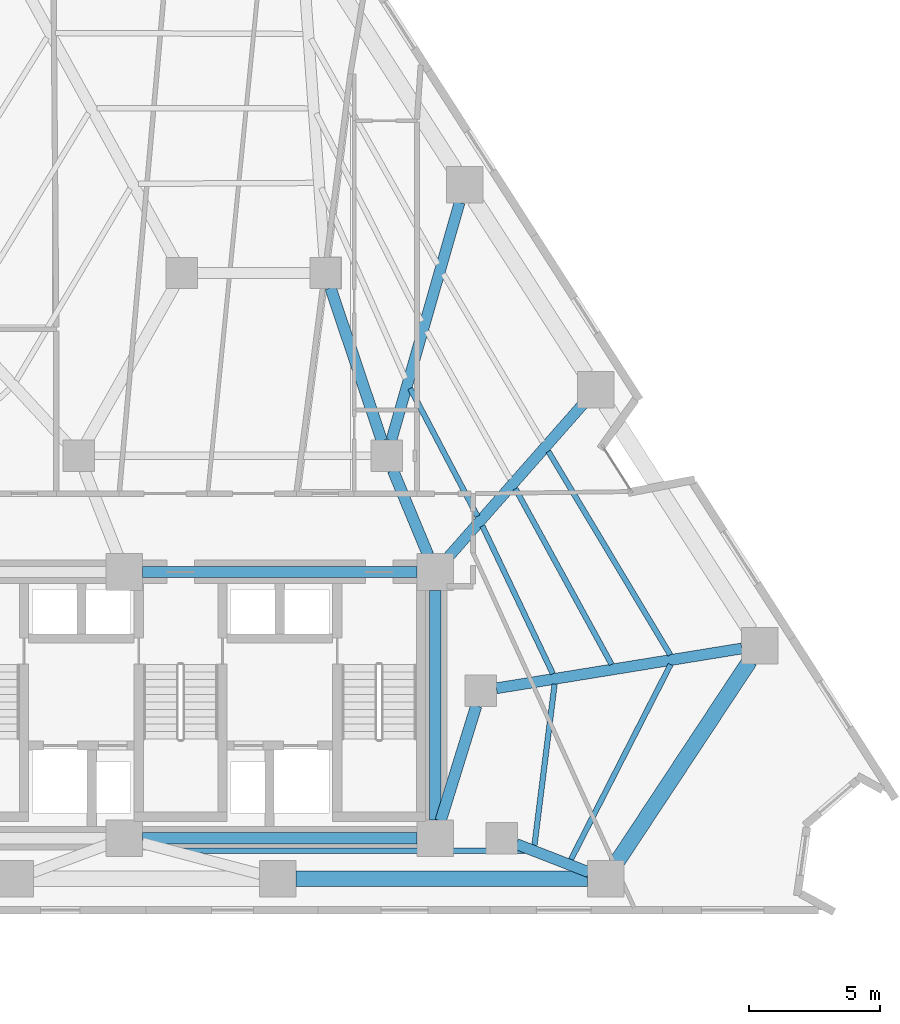
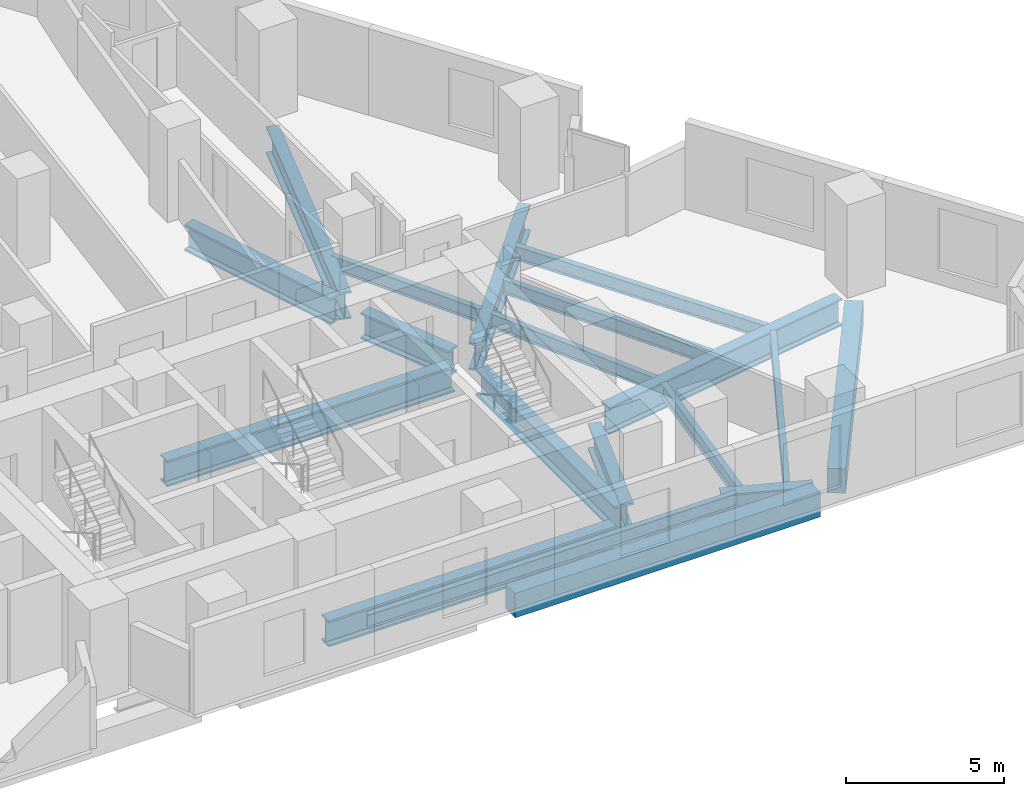
# One storey, part 3 of 14: 19 beams.
"""IFC4 building model written with IfcOpenShell, lengths in metres."""

import ifcopenshell
import ifcopenshell.guid

model = None  # the IFC model being written
_history = None  # IfcOwnerHistory: only IFC2X3 demands one
_inside = {}  # id of a spatial element -> (the spatial element, [elements in it])
_under = {}  # id of a project, library or spatial element -> (it, [spatial elements below it])
_declared = {}  # id of a project -> (the project, [libraries it declares])
_typed = {}  # id of a type object -> (the type object, [elements of that type])
_made_of = {}  # id of a material, layer set ... -> (it, [elements and type objects made of it])


def new_model(schema):
    """Start an empty IFC model of exactly this schema.

    Asked for "IFC4X3", IfcOpenShell would pick the latest addendum, in which some entities
    have other attributes; the version numbers below select the first issue.
    IFC2X3 requires an IfcOwnerHistory on every rooted entity: one is made here for all.
    """
    global model, _history
    if schema == "IFC4X3":
        model = ifcopenshell.file(schema_version=(4, 3, 0, 0))
    else:
        model = ifcopenshell.file(schema=schema)
    _inside.clear()
    _under.clear()
    _declared.clear()
    _typed.clear()
    _made_of.clear()
    _history = None
    if model.schema == "IFC2X3":
        org = make("IfcOrganization", Name="unknown")
        user = make(
            "IfcPersonAndOrganization",
            ThePerson=make("IfcPerson", FamilyName="unknown"),
            TheOrganization=org,
        )
        app = make(
            "IfcApplication",
            ApplicationDeveloper=org,
            Version="unknown",
            ApplicationFullName="unknown",
            ApplicationIdentifier="unknown",
        )
        _history = make(
            "IfcOwnerHistory",
            OwningUser=user,
            OwningApplication=app,
            ChangeAction="ADDED",
            CreationDate=0,
        )
    return model


def make(cls, **values):
    """One entity of the class cls with the attributes given. An attribute that is None is left unset."""
    return model.create_entity(
        cls, **{name: value for name, value in values.items() if value is not None}
    )


def rooted(cls, **values):
    """An entity with a GlobalId (a new one), such as an element, a storey or a relation."""
    return make(cls, GlobalId=ifcopenshell.guid.new(), OwnerHistory=_history, **values)


def si_unit(unit_type, name, prefix=None):
    """IfcSIUnit, for example si_unit("LENGTHUNIT", "METRE", prefix="MILLI")."""
    return make("IfcSIUnit", UnitType=unit_type, Prefix=prefix, Name=name)


def assignment(units):
    """IfcUnitAssignment: the units of a project."""
    return None if units is None else make("IfcUnitAssignment", Units=units)


def point(xyz):
    """IfcCartesianPoint."""
    return None if xyz is None else make("IfcCartesianPoint", Coordinates=xyz)


def direction(xyz):
    """IfcDirection."""
    return None if xyz is None else make("IfcDirection", DirectionRatios=xyz)


def frame(location, z_axis=None, x_axis=None):
    """IfcAxis2Placement3D, a coordinate frame: its origin and axes. An axis left out is left unset."""
    return make(
        "IfcAxis2Placement3D",
        Location=point(location),
        Axis=direction(z_axis),
        RefDirection=direction(x_axis),
    )


def frame_2d(location, x_axis=None):
    """IfcAxis2Placement2D, a coordinate frame in the plane: its origin and x axis."""
    return make(
        "IfcAxis2Placement2D", Location=point(location), RefDirection=direction(x_axis)
    )


def origin():
    """The frame at (0, 0, 0) with its axes left unset."""
    return frame((0.0, 0.0, 0.0))


def origin_2d():
    """The frame at (0, 0) in the plane with its x axis left unset."""
    return frame_2d((0.0, 0.0))


def place(relative_to, where):
    """IfcLocalPlacement: puts the frame where relative to a parent placement (None: the world)."""
    return make(
        "IfcLocalPlacement", PlacementRelTo=relative_to, RelativePlacement=where
    )


def context(
    kind, dimensions, precision=None, world=None, true_north=None, identifier=None
):
    """IfcGeometricRepresentationContext, for example the 3D "Model" context."""
    return make(
        "IfcGeometricRepresentationContext",
        ContextIdentifier=identifier,
        ContextType=kind,
        CoordinateSpaceDimension=dimensions,
        Precision=precision,
        WorldCoordinateSystem=world,
        TrueNorth=true_north,
    )


def subcontext(parent, identifier, kind, view, scale=None):
    """IfcGeometricRepresentationSubContext, for example "Body" below "Model"."""
    return make(
        "IfcGeometricRepresentationSubContext",
        ContextIdentifier=identifier,
        ContextType=kind,
        ParentContext=parent,
        TargetScale=scale,
        TargetView=view,
    )


def project(units=None, contexts=None):
    """IfcProject with its units and contexts."""
    return rooted(
        "IfcProject",
        Name="project",
        RepresentationContexts=contexts,
        UnitsInContext=assignment(units),
    )


def spatial(cls, under=None, at=None, **own):
    """A site, building, storey or space (cls), placed at a placement, below another one or the project."""
    s = rooted(cls, ObjectPlacement=at, **own)
    if under is not None:
        _under.setdefault(under.id(), (under, []))[1].append(s)
    return s


def profile(cls, at=None, kind="AREA", **sizes):
    """A parametric profile (cls). Its sizes go by their IFC names, for example OverallWidth=200.0."""
    return make(cls, ProfileType=kind, Position=at, **sizes)


def rectangle(**sizes):
    """IfcRectangleProfileDef."""
    return profile("IfcRectangleProfileDef", **sizes)


def i_section(**sizes):
    """IfcIShapeProfileDef."""
    return profile("IfcIShapeProfileDef", **sizes)


def extrude(swept, where, along, depth):
    """IfcExtrudedAreaSolid: the profile swept, set in the frame where, extruded along a direction by depth."""
    return make(
        "IfcExtrudedAreaSolid",
        SweptArea=swept,
        Position=where,
        ExtrudedDirection=direction(along),
        Depth=depth,
    )


def shape(context_of_items, identifier, shape_type, items):
    """IfcShapeRepresentation: the items that make up one representation, for example the "Body"."""
    return make(
        "IfcShapeRepresentation",
        ContextOfItems=context_of_items,
        RepresentationIdentifier=identifier,
        RepresentationType=shape_type,
        Items=items,
    )


def material(Name=None, Category=None):
    """IfcMaterial."""
    return make("IfcMaterial", Name=Name, Category=Category)


def material_profile(
    of_material, cross_section, Name=None, Category=None, Priority=None
):
    """IfcMaterialProfile: a cross section and its material."""
    return make(
        "IfcMaterialProfile",
        Name=Name,
        Material=of_material,
        Profile=cross_section,
        Priority=Priority,
        Category=Category,
    )


def profile_set(profiles, Name=None, composite=None):
    """IfcMaterialProfileSet."""
    return make(
        "IfcMaterialProfileSet",
        Name=Name,
        MaterialProfiles=profiles,
        CompositeProfile=composite,
    )


def made_of(thing, what):
    """Note that an element or type object is made of a material, layer set ...; save() writes the relation."""
    if what is not None:
        _made_of.setdefault(what.id(), (what, []))[1].append(thing)
    return thing


def type_object(cls, material=None, **own):
    """A type object (cls), such as IfcWallType, which elements share."""
    return made_of(rooted(cls, **own), material)


def element(
    cls,
    number,
    at=None,
    inside=None,
    cuts=None,
    type_object=None,
    material=None,
    context=None,
    identifier="Body",
    shape_type=None,
    held_by="IfcProductDefinitionShape",
    body=None,
    shapes=None,
    **own,
):
    """One element of the class cls, such as IfcWall. Its Tag is "e" and its number.

    at: its placement. inside: the storey or other place that contains it. cuts: it is an
    opening in that element (IfcRelVoidsElement). A single representation is given by context,
    identifier, shape_type and body (its items); several are given by shapes. held_by: the class
    of the entity that holds the representations. save() writes the other relations.
    """
    e = rooted(cls, Tag="e%d" % number, ObjectPlacement=at, **own)
    if body is not None:
        shapes = [shape(context, identifier, shape_type, body)]
    if shapes is not None:
        e.Representation = make(held_by, Representations=shapes)
    if inside is not None:
        _inside.setdefault(inside.id(), (inside, []))[1].append(e)
    if cuts is not None:
        rooted(
            "IfcRelVoidsElement", RelatingBuildingElement=cuts, RelatedOpeningElement=e
        )
    if type_object is not None:
        _typed.setdefault(type_object.id(), (type_object, []))[1].append(e)
    return made_of(e, material)


def aggregate(whole, parts):
    """IfcRelAggregates: a whole, such as a stair, and the parts it consists of."""
    return rooted("IfcRelAggregates", RelatingObject=whole, RelatedObjects=parts)


def save(model, path):
    """Write the relations noted so far, then the file.

    IfcRelAggregates (storeys below a building ...), IfcRelContainedInSpatialStructure (elements
    in a storey), IfcRelDefinesByType, IfcRelAssociatesMaterial and IfcRelDeclares: one each for
    every whole, place, type object, material and project.
    """
    for whole, parts in _under.values():
        aggregate(whole, parts)
    for where, things in _inside.values():
        rooted(
            "IfcRelContainedInSpatialStructure",
            RelatedElements=things,
            RelatingStructure=where,
        )
    for kind, things in _typed.values():
        rooted("IfcRelDefinesByType", RelatedObjects=things, RelatingType=kind)
    for what, things in _made_of.values():
        rooted("IfcRelAssociatesMaterial", RelatedObjects=things, RelatingMaterial=what)
    for by, libraries in _declared.values():
        rooted("IfcRelDeclares", RelatingContext=by, RelatedDefinitions=libraries)
    model.write(path)


model = new_model("IFC4")

# Units and contexts
model_context = context("Model", 3, precision=1e-05, world=origin(), true_north=direction((0.0, 1.0)))
body_context = subcontext(model_context, "Body", "Model", "MODEL_VIEW")
ifc_project = project(units=[si_unit("LENGTHUNIT", "METRE"), si_unit("AREAUNIT", "SQUARE_METRE"), si_unit("VOLUMEUNIT", "CUBIC_METRE"), si_unit("PLANEANGLEUNIT", "RADIAN"), si_unit("MASSUNIT", "GRAM", prefix="KILO")], contexts=[model_context])

# Site, building, storey
site_placement = place(None, origin())
site = spatial("IfcSite", under=ifc_project, at=site_placement, CompositionType="ELEMENT")
building_placement = place(site_placement, origin())
building = spatial("IfcBuilding", under=site, at=building_placement, Name="Almagre Mirador Tower", CompositionType="ELEMENT")
storey_placement = place(building_placement, frame((0.0, 0.0, 46.199951171875)))
storey = spatial("IfcBuildingStorey", under=building, at=storey_placement, Name="L10", CompositionType="ELEMENT", Elevation=46.199951171875)

# Beams
ifc_material_1 = material(Name="Steel ASTM A992 Grade 50", Category="steel")
ifc_material_profile_1 = material_profile(ifc_material_1, i_section(OverallWidth=0.208984375, OverallDepth=0.532958984375, WebThickness=0.01025390625, FlangeThickness=0.015625, FilletRadius=0.01806640625, at=origin_2d()), Name="W21X62")
ifc_profile_set_1 = profile_set([ifc_material_profile_1], Name="Steel ASTM A992 Grade 50")
beam_type_1 = type_object("IfcBeamType", Name="BM-JST-W21X62", PredefinedType="JOIST", material=ifc_profile_set_1)
beam_1_placement = place(storey_placement, frame((37.12109375, 4.0849609375, -0.516357421875), z_axis=(0.999999653669, -0.000832262562, 0.0), x_axis=(0.000832262562, 0.999999653669, 0.0)))
element("IfcBeam", 1, at=beam_1_placement, inside=storey, type_object=beam_type_1, Name="L10 secondary floor joist PC03-PC04.3", PredefinedType="JOIST", context=body_context, shape_type="SweptSolid", body=[
    extrude(i_section(OverallWidth=0.208984375, OverallDepth=0.532958984375, WebThickness=0.01025390625, FlangeThickness=0.015625, FilletRadius=0.01806640625, at=origin_2d()), origin(), (0.0, 0.0, 1.0), 13.493896484375),
])
beam_2_placement = place(storey_placement, frame((52.25048828125, 3.742431640625, -0.516357421875), z_axis=(0.454943766331, 0.890520167922, 0.0), x_axis=(-0.890520167922, 0.454943766331, 0.0)))
element("IfcBeam", 2, at=beam_2_placement, inside=storey, type_object=beam_type_1, Name="L10 secondary floor joist PC04-PC05.1", PredefinedType="JOIST", context=body_context, shape_type="SweptSolid", body=[
    extrude(i_section(OverallWidth=0.208984375, OverallDepth=0.532958984375, WebThickness=0.01025390625, FlangeThickness=0.015625, FilletRadius=0.01806640625, at=origin_2d()), origin(), (0.0, 0.0, 1.0), 8.3828125),
])
beam_3_placement = place(storey_placement, frame((50.8505859375, 4.281494140625, -0.516357421875), z_axis=(0.124020243408, 0.992279688004, 0.0), x_axis=(-0.992279688004, 0.124020243408, 0.0)))
element("IfcBeam", 3, at=beam_3_placement, inside=storey, type_object=beam_type_1, Name="L10 secondary floor joist PC04-PC05.3", PredefinedType="JOIST", context=body_context, shape_type="SweptSolid", body=[
    extrude(i_section(OverallWidth=0.208984375, OverallDepth=0.532958984375, WebThickness=0.01025390625, FlangeThickness=0.015625, FilletRadius=0.01806640625, at=origin_2d()), origin(), (0.0, 0.0, 1.0), 6.220703125),
])
beam_4_placement = place(storey_placement, frame((56.0517578125, 11.57373046875, -0.516357421875), z_axis=(-0.513871177403, 0.857867363311, 0.0), x_axis=(-0.857867363311, -0.513871177403, 0.0)))
element("IfcBeam", 4, at=beam_4_placement, inside=storey, type_object=beam_type_1, Name="L10 secondary floor joist PC05-PC06.1", PredefinedType="JOIST", context=body_context, shape_type="SweptSolid", body=[
    extrude(i_section(OverallWidth=0.208984375, OverallDepth=0.532958984375, WebThickness=0.01025390625, FlangeThickness=0.015625, FilletRadius=0.01806640625, at=origin_2d()), origin(), (0.0, 0.0, 1.0), 9.08447265625),
])
beam_5_placement = place(storey_placement, frame((53.802978515625, 11.2119140625, -0.516357421875), z_axis=(-0.480004943327, 0.877265783205, 0.0), x_axis=(-0.877265783205, -0.480004943327, 0.0)))
element("IfcBeam", 5, at=beam_5_placement, inside=storey, type_object=beam_type_1, Name="L10 secondary floor joist PC05-PC06.2", PredefinedType="JOIST", context=body_context, shape_type="SweptSolid", body=[
    extrude(i_section(OverallWidth=0.208984375, OverallDepth=0.532958984375, WebThickness=0.01025390625, FlangeThickness=0.015625, FilletRadius=0.01806640625, at=origin_2d()), origin(), (0.0, 0.0, 1.0), 7.66845703125),
])
beam_6_placement = place(storey_placement, frame((51.557861328125, 10.85107421875, -0.516357421875), z_axis=(-0.430675529858, 0.902506835421, 0.0), x_axis=(-0.902506835421, -0.430675529858, 0.0)))
element("IfcBeam", 6, at=beam_6_placement, inside=storey, type_object=beam_type_1, Name="L10 secondary floor joist PC05-PC06.3", PredefinedType="JOIST", context=body_context, shape_type="SweptSolid", body=[
    extrude(i_section(OverallWidth=0.208984375, OverallDepth=0.532958984375, WebThickness=0.01025390625, FlangeThickness=0.015625, FilletRadius=0.01806640625, at=origin_2d()), origin(), (0.0, 0.0, 1.0), 6.270263671875),
])
beam_7_placement = place(storey_placement, frame((48.66943359375, 16.884521484375, -0.516357421875), z_axis=(-0.46582280431, 0.884878022659, 0.0), x_axis=(-0.884878022659, -0.46582280431, 0.0)))
element("IfcBeam", 7, at=beam_7_placement, inside=storey, type_object=beam_type_1, Name="L10 secondary floor joist PC06-PC07.3", PredefinedType="JOIST", context=body_context, shape_type="SweptSolid", body=[
    extrude(i_section(OverallWidth=0.208984375, OverallDepth=0.532958984375, WebThickness=0.01025390625, FlangeThickness=0.015625, FilletRadius=0.01806640625, at=origin_2d()), origin(), (0.0, 0.0, 1.0), 5.533447265625),
])
ifc_material_2 = material(Name="Precast concrete C50/60", Category="concrete")
ifc_material_profile_2 = material_profile(ifc_material_2, rectangle(XDim=0.60009765625, YDim=0.949951171875, at=origin_2d()), Name="RC600X950")
ifc_profile_set_2 = profile_set([ifc_material_profile_2], Name="Precast concrete C50/60")
beam_type_2 = type_object("IfcBeamType", Name="BM-SPN-RC600X950", PredefinedType="SPANDREL", material=ifc_profile_set_2)
beam_8_placement = place(storey_placement, frame((41.72412109375, 3.0, -0.724853515625), z_axis=(1.0, 0.0, 0.0), x_axis=(0.0, 1.0, 0.0)))
element("IfcBeam", 8, at=beam_8_placement, inside=storey, type_object=beam_type_2, Name="L10 perimeter spandrel beam PC03-PC04", PredefinedType="SPANDREL", context=body_context, shape_type="SweptSolid", body=[
    extrude(rectangle(XDim=0.60009765625, YDim=0.949951171875, at=origin_2d()), origin(), (0.0, 0.0, 1.0), 11.159912109375),
])
beam_9_placement = place(storey_placement, frame((53.9697265625, 3.584228515625, -0.724853515625), z_axis=(0.550976725149, 0.834520609898, 0.0), x_axis=(-0.834520609898, 0.550976725149, 0.0)))
element("IfcBeam", 9, at=beam_9_placement, inside=storey, type_object=beam_type_2, Name="L10 perimeter spandrel beam PC04-PC05", PredefinedType="SPANDREL", context=body_context, shape_type="SweptSolid", body=[
    extrude(rectangle(XDim=0.60009765625, YDim=0.949951171875, at=origin_2d()), origin(), (0.0, 0.0, 1.0), 9.304443359375),
])
ifc_material_3 = material(Name="Steel ASTM A992 Grade 50", Category="steel")
ifc_material_profile_3 = material_profile(ifc_material_3, i_section(OverallWidth=0.43701171875, OverallDepth=1.010986328125, WebThickness=0.041015625, FlangeThickness=0.073974609375, FilletRadius=0.028076171875, at=origin_2d()), Name="W36X529")
ifc_profile_set_3 = profile_set([ifc_material_profile_3], Name="Steel ASTM A992 Grade 50")
beam_type_3 = type_object("IfcBeamType", Name="BM-STL-W36X529", PredefinedType="BEAM", material=ifc_profile_set_3)
for number, where, z_axis, x_axis, name in (
    (10, (35.85009765625, 4.550048828125, -0.75537109375), (1.0, 0.0, 0.0), (0.0, 1.0, 0.0), "L10 core tie girder CC2-CC3"),
    (11, (35.85009765625, 14.75, -0.75537109375), (1.0, 0.0, 0.0), (0.0, 1.0, 0.0), "L10 core tie girder CC5-CC6"),
):
    element("IfcBeam", number, at=place(storey_placement, frame(where, z_axis=z_axis, x_axis=x_axis)), inside=storey, type_object=beam_type_3, Name=name, PredefinedType="BEAM", context=body_context, shape_type="SweptSolid", body=[
        extrude(i_section(OverallWidth=0.43701171875, OverallDepth=1.010986328125, WebThickness=0.041015625, FlangeThickness=0.073974609375, FilletRadius=0.028076171875, at=origin_2d()), origin(), (0.0, 0.0, 1.0), 10.5),
    ])
beam_10_placement = place(storey_placement, frame((47.050048828125, 5.25, -0.75537109375), z_axis=(0.0, 1.0, 0.0), x_axis=(-1.0, 0.0, 0.0)))
element("IfcBeam", 12, at=beam_10_placement, inside=storey, type_object=beam_type_3, Name="L10 core tie girder CC3-CC6", PredefinedType="BEAM", context=body_context, shape_type="SweptSolid", body=[
    extrude(i_section(OverallWidth=0.43701171875, OverallDepth=1.010986328125, WebThickness=0.041015625, FlangeThickness=0.073974609375, FilletRadius=0.028076171875, at=origin_2d()), origin(), (0.0, 0.0, 1.0), 8.800048828125),
])
beam_11_placement = place(storey_placement, frame((48.62255859375, 9.626953125, -0.75537109375), z_axis=(-0.295888328273, -0.955222538046, 0.0), x_axis=(0.955222538046, -0.295888328273, 0.0)))
element("IfcBeam", 13, at=beam_11_placement, inside=storey, type_object=beam_type_3, Name="L10 core tie girder MC3-CC3", PredefinedType="BEAM", context=body_context, shape_type="SweptSolid", body=[
    extrude(i_section(OverallWidth=0.43701171875, OverallDepth=1.010986328125, WebThickness=0.041015625, FlangeThickness=0.073974609375, FilletRadius=0.028076171875, at=origin_2d()), origin(), (0.0, 0.0, 1.0), 4.61474609375),
])
beam_12_placement = place(storey_placement, frame((45.430419921875, 18.64599609375, -0.75537109375), z_axis=(0.383856635851, -0.923392702545, 0.0), x_axis=(0.923392702545, 0.383856635851, 0.0)))
element("IfcBeam", 14, at=beam_12_placement, inside=storey, type_object=beam_type_3, Name="L10 core tie girder MC5-CC6", PredefinedType="BEAM", context=body_context, shape_type="SweptSolid", body=[
    extrude(i_section(OverallWidth=0.43701171875, OverallDepth=1.010986328125, WebThickness=0.041015625, FlangeThickness=0.073974609375, FilletRadius=0.028076171875, at=origin_2d()), origin(), (0.0, 0.0, 1.0), 3.51904296875),
])
beam_13_placement = place(storey_placement, frame((43.041015625, 25.631103515625, -0.75537109375), z_axis=(0.318252395552, -0.948006019351, 0.0), x_axis=(0.948006019351, 0.318252395552, 0.0)))
element("IfcBeam", 15, at=beam_13_placement, inside=storey, type_object=beam_type_3, Name="L10 core tie girder MC6-MC5", PredefinedType="BEAM", context=body_context, shape_type="SweptSolid", body=[
    extrude(i_section(OverallWidth=0.43701171875, OverallDepth=1.010986328125, WebThickness=0.041015625, FlangeThickness=0.073974609375, FilletRadius=0.028076171875, at=origin_2d()), origin(), (0.0, 0.0, 1.0), 6.183837890625),
])
ifc_material_4 = material(Name="Steel ASTM A913 Grade 65", Category="steel")
ifc_material_profile_4 = material_profile(ifc_material_4, i_section(OverallWidth=0.4189453125, OverallDepth=1.041015625, WebThickness=0.031005859375, FlangeThickness=0.055908203125, FilletRadius=0.030029296875, at=origin_2d()), Name="W40X397")
ifc_profile_set_4 = profile_set([ifc_material_profile_4], Name="Steel ASTM A913 Grade 65")
beam_type_4 = type_object("IfcBeamType", Name="BM-STL-W40X397", PredefinedType="BEAM", material=ifc_profile_set_4)
beam_14_placement = place(storey_placement, frame((52.931640625, 3.25390625, -0.7705078125), z_axis=(-0.931955378588, 0.362572988957, 0.0), x_axis=(-0.362572988957, -0.931955378588, 0.0)))
element("IfcBeam", 16, at=beam_14_placement, inside=storey, type_object=beam_type_4, Name="L10 radial floor girder PC04-MC2", PredefinedType="BEAM", context=body_context, shape_type="SweptSolid", body=[
    extrude(i_section(OverallWidth=0.4189453125, OverallDepth=1.041015625, WebThickness=0.031005859375, FlangeThickness=0.055908203125, FilletRadius=0.030029296875, at=origin_2d()), origin(), (0.0, 0.0, 1.0), 2.974853515625),
])
beam_15_placement = place(storey_placement, frame((58.791015625, 11.82080078125, -0.7705078125), z_axis=(-0.987096387793, -0.160127203205, 0.0), x_axis=(0.160127203205, -0.987096387793, 0.0)))
element("IfcBeam", 17, at=beam_15_placement, inside=storey, type_object=beam_type_4, Name="L10 radial floor girder PC05-MC3", PredefinedType="BEAM", context=body_context, shape_type="SweptSolid", body=[
    extrude(i_section(OverallWidth=0.4189453125, OverallDepth=1.041015625, WebThickness=0.031005859375, FlangeThickness=0.055908203125, FilletRadius=0.030029296875, at=origin_2d()), origin(), (0.0, 0.0, 1.0), 9.521484375),
])
beam_16_placement = place(storey_placement, frame((52.7392578125, 21.207763671875, -0.7705078125), z_axis=(-0.661045445009, -0.750345866673, 0.0), x_axis=(0.750345866673, -0.661045445009, 0.0)))
element("IfcBeam", 18, at=beam_16_placement, inside=storey, type_object=beam_type_4, Name="L10 radial floor girder PC06-CC6", PredefinedType="BEAM", context=body_context, shape_type="SweptSolid", body=[
    extrude(i_section(OverallWidth=0.4189453125, OverallDepth=1.041015625, WebThickness=0.031005859375, FlangeThickness=0.055908203125, FilletRadius=0.030029296875, at=origin_2d()), origin(), (0.0, 0.0, 1.0), 7.906494140625),
])
beam_17_placement = place(storey_placement, frame((47.98486328125, 28.900146484375, -0.7705078125), z_axis=(-0.275954024649, -0.961170836158, 0.0), x_axis=(0.961170836158, -0.275954024649, 0.0)))
element("IfcBeam", 19, at=beam_17_placement, inside=storey, type_object=beam_type_4, Name="L10 radial floor girder PC07-MC5", PredefinedType="BEAM", context=body_context, shape_type="SweptSolid", body=[
    extrude(i_section(OverallWidth=0.4189453125, OverallDepth=1.041015625, WebThickness=0.031005859375, FlangeThickness=0.055908203125, FilletRadius=0.030029296875, at=origin_2d()), origin(), (0.0, 0.0, 1.0), 9.4921875),
])

save(model, "model.ifc")
